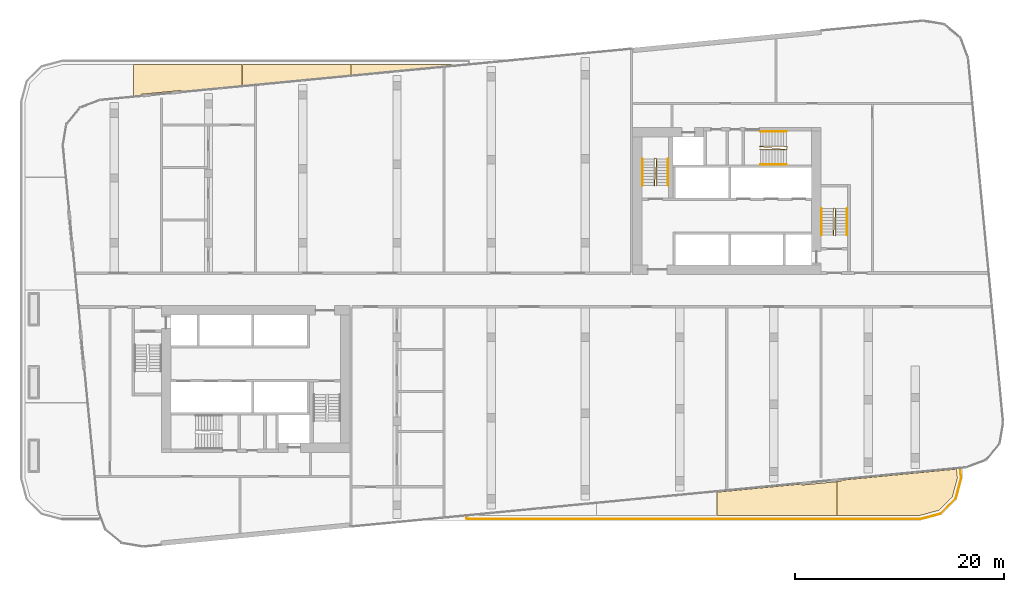
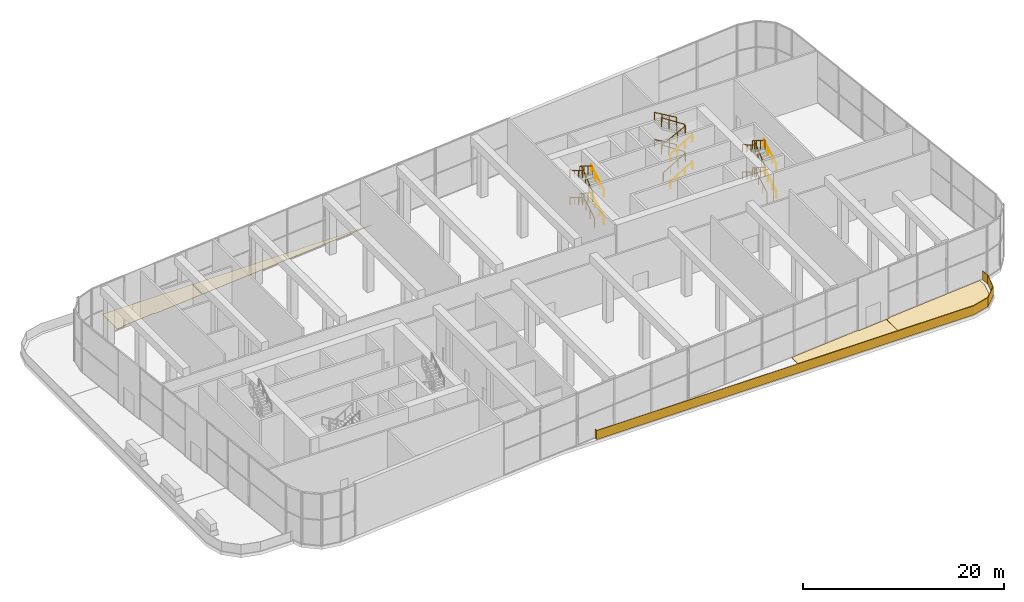
# One storey, part 24 of 25: 16 railings, 5 coverings.
"""IFC4 building model written with IfcOpenShell, lengths in metres."""

import ifcopenshell
import ifcopenshell.guid

model = None  # the IFC model being written
_history = None  # IfcOwnerHistory: only IFC2X3 demands one
_inside = {}  # id of a spatial element -> (the spatial element, [elements in it])
_under = {}  # id of a project, library or spatial element -> (it, [spatial elements below it])
_declared = {}  # id of a project -> (the project, [libraries it declares])
_typed = {}  # id of a type object -> (the type object, [elements of that type])
_made_of = {}  # id of a material, layer set ... -> (it, [elements and type objects made of it])


def new_model(schema):
    """Start an empty IFC model of exactly this schema.

    Asked for "IFC4X3", IfcOpenShell would pick the latest addendum, in which some entities
    have other attributes; the version numbers below select the first issue.
    IFC2X3 requires an IfcOwnerHistory on every rooted entity: one is made here for all.
    """
    global model, _history
    if schema == "IFC4X3":
        model = ifcopenshell.file(schema_version=(4, 3, 0, 0))
    else:
        model = ifcopenshell.file(schema=schema)
    _inside.clear()
    _under.clear()
    _declared.clear()
    _typed.clear()
    _made_of.clear()
    _history = None
    if model.schema == "IFC2X3":
        org = make("IfcOrganization", Name="unknown")
        user = make(
            "IfcPersonAndOrganization",
            ThePerson=make("IfcPerson", FamilyName="unknown"),
            TheOrganization=org,
        )
        app = make(
            "IfcApplication",
            ApplicationDeveloper=org,
            Version="unknown",
            ApplicationFullName="unknown",
            ApplicationIdentifier="unknown",
        )
        _history = make(
            "IfcOwnerHistory",
            OwningUser=user,
            OwningApplication=app,
            ChangeAction="ADDED",
            CreationDate=0,
        )
    return model


def make(cls, **values):
    """One entity of the class cls with the attributes given. An attribute that is None is left unset."""
    return model.create_entity(
        cls, **{name: value for name, value in values.items() if value is not None}
    )


def rooted(cls, **values):
    """An entity with a GlobalId (a new one), such as an element, a storey or a relation."""
    return make(cls, GlobalId=ifcopenshell.guid.new(), OwnerHistory=_history, **values)


def si_unit(unit_type, name, prefix=None):
    """IfcSIUnit, for example si_unit("LENGTHUNIT", "METRE", prefix="MILLI")."""
    return make("IfcSIUnit", UnitType=unit_type, Prefix=prefix, Name=name)


def assignment(units):
    """IfcUnitAssignment: the units of a project."""
    return None if units is None else make("IfcUnitAssignment", Units=units)


def point(xyz):
    """IfcCartesianPoint."""
    return None if xyz is None else make("IfcCartesianPoint", Coordinates=xyz)


def direction(xyz):
    """IfcDirection."""
    return None if xyz is None else make("IfcDirection", DirectionRatios=xyz)


def frame(location, z_axis=None, x_axis=None):
    """IfcAxis2Placement3D, a coordinate frame: its origin and axes. An axis left out is left unset."""
    return make(
        "IfcAxis2Placement3D",
        Location=point(location),
        Axis=direction(z_axis),
        RefDirection=direction(x_axis),
    )


def frame_2d(location, x_axis=None):
    """IfcAxis2Placement2D, a coordinate frame in the plane: its origin and x axis."""
    return make(
        "IfcAxis2Placement2D", Location=point(location), RefDirection=direction(x_axis)
    )


def origin():
    """The frame at (0, 0, 0) with its axes left unset."""
    return frame((0.0, 0.0, 0.0))


def origin_2d():
    """The frame at (0, 0) in the plane with its x axis left unset."""
    return frame_2d((0.0, 0.0))


def place(relative_to, where):
    """IfcLocalPlacement: puts the frame where relative to a parent placement (None: the world)."""
    return make(
        "IfcLocalPlacement", PlacementRelTo=relative_to, RelativePlacement=where
    )


def context(
    kind, dimensions, precision=None, world=None, true_north=None, identifier=None
):
    """IfcGeometricRepresentationContext, for example the 3D "Model" context."""
    return make(
        "IfcGeometricRepresentationContext",
        ContextIdentifier=identifier,
        ContextType=kind,
        CoordinateSpaceDimension=dimensions,
        Precision=precision,
        WorldCoordinateSystem=world,
        TrueNorth=true_north,
    )


def subcontext(parent, identifier, kind, view, scale=None):
    """IfcGeometricRepresentationSubContext, for example "Body" below "Model"."""
    return make(
        "IfcGeometricRepresentationSubContext",
        ContextIdentifier=identifier,
        ContextType=kind,
        ParentContext=parent,
        TargetScale=scale,
        TargetView=view,
    )


def project(units=None, contexts=None):
    """IfcProject with its units and contexts."""
    return rooted(
        "IfcProject",
        Name="project",
        RepresentationContexts=contexts,
        UnitsInContext=assignment(units),
    )


def spatial(cls, under=None, at=None, **own):
    """A site, building, storey or space (cls), placed at a placement, below another one or the project."""
    s = rooted(cls, ObjectPlacement=at, **own)
    if under is not None:
        _under.setdefault(under.id(), (under, []))[1].append(s)
    return s


def polyline(points):
    """IfcPolyline through the points."""
    return make("IfcPolyline", Points=[point(p) for p in points])


def profile(cls, at=None, kind="AREA", **sizes):
    """A parametric profile (cls). Its sizes go by their IFC names, for example OverallWidth=200.0."""
    return make(cls, ProfileType=kind, Position=at, **sizes)


def circle(**sizes):
    """IfcCircleProfileDef."""
    return profile("IfcCircleProfileDef", **sizes)


def outline(outer, holes=None, kind="AREA"):
    """IfcArbitraryClosedProfileDef: a profile drawn as a closed curve; with holes, ...WithVoids."""
    if holes is None:
        return make("IfcArbitraryClosedProfileDef", ProfileType=kind, OuterCurve=outer)
    return make(
        "IfcArbitraryProfileDefWithVoids",
        ProfileType=kind,
        OuterCurve=outer,
        InnerCurves=holes,
    )


def extrude(swept, where, along, depth):
    """IfcExtrudedAreaSolid: the profile swept, set in the frame where, extruded along a direction by depth."""
    return make(
        "IfcExtrudedAreaSolid",
        SweptArea=swept,
        Position=where,
        ExtrudedDirection=direction(along),
        Depth=depth,
    )


def shape(context_of_items, identifier, shape_type, items):
    """IfcShapeRepresentation: the items that make up one representation, for example the "Body"."""
    return make(
        "IfcShapeRepresentation",
        ContextOfItems=context_of_items,
        RepresentationIdentifier=identifier,
        RepresentationType=shape_type,
        Items=items,
    )


def material(Name=None, Category=None):
    """IfcMaterial."""
    return make("IfcMaterial", Name=Name, Category=Category)


def layer(
    of_material, thickness, ventilated=None, Name=None, Category=None, Priority=None
):
    """IfcMaterialLayer: one layer of a wall or slab, of a material (None: an air gap)."""
    return make(
        "IfcMaterialLayer",
        Material=of_material,
        LayerThickness=thickness,
        IsVentilated=ventilated,
        Name=Name,
        Category=Category,
        Priority=Priority,
    )


def layer_set(layers, Name=None):
    """IfcMaterialLayerSet."""
    return make("IfcMaterialLayerSet", MaterialLayers=layers, LayerSetName=Name)


def made_of(thing, what):
    """Note that an element or type object is made of a material, layer set ...; save() writes the relation."""
    if what is not None:
        _made_of.setdefault(what.id(), (what, []))[1].append(thing)
    return thing


def type_object(cls, material=None, **own):
    """A type object (cls), such as IfcWallType, which elements share."""
    return made_of(rooted(cls, **own), material)


def element(
    cls,
    number,
    at=None,
    inside=None,
    cuts=None,
    type_object=None,
    material=None,
    context=None,
    identifier="Body",
    shape_type=None,
    held_by="IfcProductDefinitionShape",
    body=None,
    shapes=None,
    **own,
):
    """One element of the class cls, such as IfcWall. Its Tag is "e" and its number.

    at: its placement. inside: the storey or other place that contains it. cuts: it is an
    opening in that element (IfcRelVoidsElement). A single representation is given by context,
    identifier, shape_type and body (its items); several are given by shapes. held_by: the class
    of the entity that holds the representations. save() writes the other relations.
    """
    e = rooted(cls, Tag="e%d" % number, ObjectPlacement=at, **own)
    if body is not None:
        shapes = [shape(context, identifier, shape_type, body)]
    if shapes is not None:
        e.Representation = make(held_by, Representations=shapes)
    if inside is not None:
        _inside.setdefault(inside.id(), (inside, []))[1].append(e)
    if cuts is not None:
        rooted(
            "IfcRelVoidsElement", RelatingBuildingElement=cuts, RelatedOpeningElement=e
        )
    if type_object is not None:
        _typed.setdefault(type_object.id(), (type_object, []))[1].append(e)
    return made_of(e, material)


def aggregate(whole, parts):
    """IfcRelAggregates: a whole, such as a stair, and the parts it consists of."""
    return rooted("IfcRelAggregates", RelatingObject=whole, RelatedObjects=parts)


def save(model, path):
    """Write the relations noted so far, then the file.

    IfcRelAggregates (storeys below a building ...), IfcRelContainedInSpatialStructure (elements
    in a storey), IfcRelDefinesByType, IfcRelAssociatesMaterial and IfcRelDeclares: one each for
    every whole, place, type object, material and project.
    """
    for whole, parts in _under.values():
        aggregate(whole, parts)
    for where, things in _inside.values():
        rooted(
            "IfcRelContainedInSpatialStructure",
            RelatedElements=things,
            RelatingStructure=where,
        )
    for kind, things in _typed.values():
        rooted("IfcRelDefinesByType", RelatedObjects=things, RelatingType=kind)
    for what, things in _made_of.values():
        rooted("IfcRelAssociatesMaterial", RelatedObjects=things, RelatingMaterial=what)
    for by, libraries in _declared.values():
        rooted("IfcRelDeclares", RelatingContext=by, RelatedDefinitions=libraries)
    model.write(path)


model = new_model("IFC4")

# Units and contexts
model_context = context("Model", 3, precision=1e-05, world=origin(), true_north=direction((0.0, 1.0)))
body_context = subcontext(model_context, "Body", "Model", "MODEL_VIEW")
ifc_project = project(units=[si_unit("LENGTHUNIT", "METRE"), si_unit("AREAUNIT", "SQUARE_METRE"), si_unit("VOLUMEUNIT", "CUBIC_METRE"), si_unit("PLANEANGLEUNIT", "RADIAN"), si_unit("MASSUNIT", "GRAM", prefix="KILO")], contexts=[model_context])

# Site, building, storey
site_placement = place(None, origin())
site = spatial("IfcSite", under=ifc_project, at=site_placement, CompositionType="ELEMENT")
building_placement = place(site_placement, origin())
building = spatial("IfcBuilding", under=site, at=building_placement, Name="Kajstack Hotel Tower", CompositionType="ELEMENT")
storey_placement = place(building_placement, frame((0.0, 0.0, 104.199951171875)))
storey = spatial("IfcBuildingStorey", under=building, at=storey_placement, Name="L22", CompositionType="ELEMENT", Elevation=104.199951171875)

# Railing
ifc_material_1 = material(Name="Steel S355J2", Category="steel")
railing_type_1 = type_object("IfcRailingType", Name="BALUSTRADE-TERRACE", PredefinedType="BALUSTRADE", material=ifc_material_1)
railing_1_placement = place(storey_placement, frame((44.7919921875, -17.071533203125, 0.0)))
element("IfcRailing", 1, at=railing_1_placement, inside=storey, type_object=railing_type_1, Name="Terrace guard L22-02-01", PredefinedType="BALUSTRADE", context=body_context, shape_type="SweptSolid", body=[
    extrude(outline(polyline([(0.118408203125, -0.9150390625), (-0.40869140625, -2.882080078125), (-1.83837890625, -4.311767578125), (-3.803955078125, -4.83837890625), (-47.1474609375, -4.83837890625), (-47.17578125, -4.54248046875), (-47.1162109375, -4.53662109375), (-47.0927734375, -4.7783203125), (-3.811767578125, -4.7783203125), (-1.86962890625, -4.258056640625), (-0.46240234375, -2.850830078125), (0.057373046875, -0.91015625), (-0.02978515625, -0.0029296875), (0.02978515625, 0.0029296875), (0.118408203125, -0.9150390625)])), origin(), (0.0, 0.0, 1.0), 1.10009765625),
])

# Coverings
ifc_material_2 = material(Name="Timber larch", Category="wood")
ifc_layer = layer(ifc_material_2, 0.050048828125)
ifc_layer_set = layer_set([ifc_layer], Name="DECK-LARCH")
covering_type = type_object("IfcCoveringType", Name="DECK-LARCH", PredefinedType="FLOORING", material=ifc_layer_set)
covering_1_placement = place(storey_placement, origin())
element("IfcCovering", 2, at=covering_1_placement, inside=storey, type_object=covering_type, Name="Larch decking L22-01-05", PredefinedType="FLOORING", context=body_context, shape_type="SweptSolid", body=[
    extrude(outline(polyline([(-23.783203125, 19.5244140625), (-23.783203125, 21.52001953125), (-34.1416015625, 21.52001953125), (-34.1416015625, 18.52685546875), (-33.391357421875, 18.59912109375), (-33.40087890625, 18.698486328125), (-29.618408203125, 19.062744140625), (-29.608642578125, 18.96337890625), (-23.783203125, 19.5244140625)])), origin(), (0.0, 0.0, 1.0), 0.050048828125),
])
covering_2_placement = place(storey_placement, origin())
element("IfcCovering", 3, at=covering_2_placement, inside=storey, type_object=covering_type, Name="Larch decking L22-01-06", PredefinedType="FLOORING", context=body_context, shape_type="SweptSolid", body=[
    extrude(outline(polyline([(-13.40478515625, 20.523681640625), (-13.40478515625, 21.52001953125), (-23.76318359375, 21.52001953125), (-23.76318359375, 19.526123046875), (-13.40478515625, 20.523681640625)])), origin(), (0.0, 0.0, 1.0), 0.050048828125),
])
covering_3_placement = place(storey_placement, origin())
element("IfcCovering", 4, at=covering_3_placement, inside=storey, type_object=covering_type, Name="Larch decking L22-01-07", PredefinedType="FLOORING", context=body_context, shape_type="SweptSolid", body=[
    extrude(outline(polyline([(-3.05712890625, 21.52001953125), (-13.384765625, 21.52001953125), (-13.384765625, 20.525634765625), (-3.05712890625, 21.52001953125)])), origin(), (0.0, 0.0, 1.0), 0.050048828125),
])
covering_4_placement = place(storey_placement, origin())
element("IfcCovering", 5, at=covering_4_placement, inside=storey, type_object=covering_type, Name="Larch decking L22-02-03", PredefinedType="FLOORING", context=body_context, shape_type="SweptSolid", body=[
    extrude(outline(polyline([(29.608642578125, -18.53369140625), (21.5498046875, -19.3095703125), (21.5498046875, -21.52001953125), (33.022705078125, -21.52001953125), (33.022705078125, -18.305419921875), (29.618408203125, -18.633056640625), (29.608642578125, -18.53369140625)])), origin(), (0.0, 0.0, 1.0), 0.050048828125),
])
covering_5_placement = place(storey_placement, origin())
element("IfcCovering", 6, at=covering_5_placement, inside=storey, type_object=covering_type, Name="Larch decking L22-02-04", PredefinedType="FLOORING", context=body_context, shape_type="SweptSolid", body=[
    extrude(outline(polyline([(33.042724609375, -18.303466796875), (33.042724609375, -21.52001953125), (40.975341796875, -21.52001953125), (42.7568359375, -21.042724609375), (44.042724609375, -19.7568359375), (44.515625, -17.9921875), (44.515625, -17.850830078125), (44.444580078125, -17.115234375), (44.33984375, -17.115234375), (33.391357421875, -18.16943359375), (33.40087890625, -18.268798828125), (33.042724609375, -18.303466796875)])), origin(), (0.0, 0.0, 1.0), 0.050048828125),
])

# Railings
railing_type_2 = type_object("IfcRailingType", Name="Stair guard 1100", PredefinedType="GUARDRAIL", material=ifc_material_1)
railing_2_placement = place(storey_placement, frame((32.85009765625, 5.199951171875, 0.0)))
element("IfcRailing", 7, at=railing_2_placement, inside=storey, type_object=railing_type_2, Name="L22 E1 stair guard 1", PredefinedType="GUARDRAIL", context=body_context, shape_type="SweptSolid", body=[
    extrude(circle(Radius=0.02392578125, at=origin_2d()), frame((0.0, 0.0, 1.076171875), z_axis=(0.277450376394, 0.278810427259, 0.919394384522), x_axis=(-0.708833529934, 0.705375805398, 0.0)), (0.0, 0.0, 1.0), 0.179443359375),
    extrude(circle(Radius=0.02392578125, at=origin_2d()), frame((0.0498046875, 0.050048828125, 1.2412109375), z_axis=(0.0, 0.86152411907, 0.507716645641), x_axis=(-1.0, 0.0, 0.0)), (0.0, 0.0, 1.0), 2.925048828125),
    extrude(circle(Radius=0.02392578125, at=origin_2d()), frame((0.0498046875, 2.570068359375, 2.72607421875), z_axis=(-0.970072785993, 0.242814311512, 0.0), x_axis=(-0.242814311512, -0.970072785993, 0.0)), (0.0, 0.0, 1.0), 0.2060546875),
    extrude(circle(Radius=0.02392578125, at=origin_2d()), frame((-0.150146484375, 2.6201171875, 2.72607421875), z_axis=(-0.016385308676, -0.841405582595, 0.540155687962), x_axis=(0.999810440751, -0.019470042781, 0.0)), (0.0, 0.0, 1.0), 3.054443359375),
    extrude(circle(Radius=0.02392578125, at=origin_2d()), frame((-0.2001953125, 0.050048828125, 4.3759765625), z_axis=(0.707106781187, -0.707106781187, 0.0), x_axis=(0.707106781187, 0.707106781187, 0.0)), (0.0, 0.0, 1.0), 0.07080078125),
    extrude(circle(Radius=0.02392578125, at=origin_2d()), frame((-0.150146484375, 0.0, 4.3759765625), z_axis=(0.065330231748, 0.839720817594, 0.539074122286), x_axis=(-0.996987254287, 0.077565551559, 0.0)), (0.0, 0.0, 1.0), 3.060546875),
    extrude(circle(Radius=0.02392578125, at=origin_2d()), frame((0.0498046875, 2.570068359375, 6.02587890625), z_axis=(-0.970072785993, 0.242814311512, 0.0), x_axis=(-0.242814311512, -0.970072785993, 0.0)), (0.0, 0.0, 1.0), 0.2060546875),
    extrude(circle(Radius=0.02392578125, at=origin_2d()), frame((-0.150146484375, 2.6201171875, 6.02587890625), z_axis=(-0.016384601254, -0.84136925563, 0.540212292087), x_axis=(0.999810440751, -0.019470042781, 0.0)), (0.0, 0.0, 1.0), 3.0546875),
    extrude(circle(Radius=0.02099609375, at=origin_2d()), origin(), (0.0, 0.0, 1.0), 1.052001953125),
    extrude(circle(Radius=0.02099609375, at=origin_2d()), frame((0.0498046875, 0.050048828125, 0.1650390625)), (0.0, 0.0, 1.0), 1.052001953125),
    extrude(circle(Radius=0.02099609375, at=origin_2d()), frame((0.0498046875, 0.89013671875, 0.66015625)), (0.0, 0.0, 1.0), 1.052001953125),
    extrude(circle(Radius=0.02099609375, at=origin_2d()), frame((0.0498046875, 1.72998046875, 1.155029296875)), (0.0, 0.0, 1.0), 1.052001953125),
    extrude(circle(Radius=0.02099609375, at=origin_2d()), frame((0.0498046875, 2.570068359375, 1.650146484375)), (0.0, 0.0, 1.0), 1.052001953125),
    extrude(circle(Radius=0.02099609375, at=origin_2d()), frame((-0.150146484375, 2.6201171875, 1.650146484375)), (0.0, 0.0, 1.0), 1.052001953125),
    extrude(circle(Radius=0.02099609375, at=origin_2d()), frame((-0.166748046875, 1.763427734375, 2.2001953125)), (0.0, 0.0, 1.0), 1.052001953125),
    extrude(circle(Radius=0.02099609375, at=origin_2d()), frame((-0.18359375, 0.90673828125, 2.75)), (0.0, 0.0, 1.0), 1.052001953125),
    extrude(circle(Radius=0.02099609375, at=origin_2d()), frame((-0.2001953125, 0.050048828125, 3.300048828125)), (0.0, 0.0, 1.0), 1.052001953125),
    extrude(circle(Radius=0.02099609375, at=origin_2d()), frame((-0.150146484375, 0.0, 3.300048828125)), (0.0, 0.0, 1.0), 1.052001953125),
    extrude(circle(Radius=0.02099609375, at=origin_2d()), frame((-0.08349609375, 0.856689453125, 3.85009765625)), (0.0, 0.0, 1.0), 1.052001953125),
    extrude(circle(Radius=0.02099609375, at=origin_2d()), frame((-0.016845703125, 1.71337890625, 4.39990234375)), (0.0, 0.0, 1.0), 1.052001953125),
    extrude(circle(Radius=0.02099609375, at=origin_2d()), frame((0.0498046875, 2.570068359375, 4.949951171875)), (0.0, 0.0, 1.0), 1.052001953125),
    extrude(circle(Radius=0.02099609375, at=origin_2d()), frame((-0.150146484375, 2.6201171875, 4.949951171875)), (0.0, 0.0, 1.0), 1.052001953125),
    extrude(circle(Radius=0.02099609375, at=origin_2d()), frame((-0.166748046875, 1.763427734375, 5.5)), (0.0, 0.0, 1.0), 1.052001953125),
    extrude(circle(Radius=0.02099609375, at=origin_2d()), frame((-0.18359375, 0.90673828125, 6.050048828125)), (0.0, 0.0, 1.0), 1.052001953125),
    extrude(circle(Radius=0.02099609375, at=origin_2d()), frame((-0.2001953125, 0.050048828125, 6.60009765625)), (0.0, 0.0, 1.0), 1.052001953125),
])
railing_3_placement = place(storey_placement, frame((15.75, 9.949951171875, 0.0)))
element("IfcRailing", 8, at=railing_3_placement, inside=storey, type_object=railing_type_2, Name="L22 E2 stair guard 1", PredefinedType="GUARDRAIL", context=body_context, shape_type="SweptSolid", body=[
    extrude(circle(Radius=0.02392578125, at=origin_2d()), frame((0.0, 0.0, 1.076171875), z_axis=(0.278705021027, 0.278705021027, 0.919046801044), x_axis=(-0.707106781187, 0.707106781187, 0.0)), (0.0, 0.0, 1.0), 0.1796875),
    extrude(circle(Radius=0.02392578125, at=origin_2d()), frame((0.050048828125, 0.050048828125, 1.2412109375), z_axis=(0.0, 0.86152411907, 0.507716645641), x_axis=(-1.0, 0.0, 0.0)), (0.0, 0.0, 1.0), 2.925048828125),
    extrude(circle(Radius=0.02392578125, at=origin_2d()), frame((0.050048828125, 2.570068359375, 2.72607421875), z_axis=(-0.970072785993, 0.242814311512, 0.0), x_axis=(-0.242814311512, -0.970072785993, 0.0)), (0.0, 0.0, 1.0), 0.2060546875),
    extrude(circle(Radius=0.02392578125, at=origin_2d()), frame((-0.14990234375, 2.6201171875, 2.72607421875), z_axis=(-0.016385308676, -0.841405582595, 0.540155687962), x_axis=(0.999810440751, -0.019470042781, 0.0)), (0.0, 0.0, 1.0), 3.054443359375),
    extrude(circle(Radius=0.02392578125, at=origin_2d()), frame((-0.199951171875, 0.050048828125, 4.3759765625), z_axis=(0.707106781187, -0.707106781187, 0.0), x_axis=(0.707106781187, 0.707106781187, 0.0)), (0.0, 0.0, 1.0), 0.07080078125),
    extrude(circle(Radius=0.02392578125, at=origin_2d()), frame((-0.14990234375, 0.0, 4.3759765625), z_axis=(0.065330231748, 0.839720817594, 0.539074122286), x_axis=(-0.996987254287, 0.077565551559, 0.0)), (0.0, 0.0, 1.0), 3.060546875),
    extrude(circle(Radius=0.02392578125, at=origin_2d()), frame((0.050048828125, 2.570068359375, 6.02587890625), z_axis=(-0.970072785993, 0.242814311512, 0.0), x_axis=(-0.242814311512, -0.970072785993, 0.0)), (0.0, 0.0, 1.0), 0.2060546875),
    extrude(circle(Radius=0.02392578125, at=origin_2d()), frame((-0.14990234375, 2.6201171875, 6.02587890625), z_axis=(-0.016384601254, -0.84136925563, 0.540212292087), x_axis=(0.999810440751, -0.019470042781, 0.0)), (0.0, 0.0, 1.0), 3.0546875),
    extrude(circle(Radius=0.02099609375, at=origin_2d()), origin(), (0.0, 0.0, 1.0), 1.052001953125),
    extrude(circle(Radius=0.02099609375, at=origin_2d()), frame((0.050048828125, 0.050048828125, 0.1650390625)), (0.0, 0.0, 1.0), 1.052001953125),
    extrude(circle(Radius=0.02099609375, at=origin_2d()), frame((0.050048828125, 0.89013671875, 0.66015625)), (0.0, 0.0, 1.0), 1.052001953125),
    extrude(circle(Radius=0.02099609375, at=origin_2d()), frame((0.050048828125, 1.72998046875, 1.155029296875)), (0.0, 0.0, 1.0), 1.052001953125),
    extrude(circle(Radius=0.02099609375, at=origin_2d()), frame((0.050048828125, 2.570068359375, 1.650146484375)), (0.0, 0.0, 1.0), 1.052001953125),
    extrude(circle(Radius=0.02099609375, at=origin_2d()), frame((-0.14990234375, 2.6201171875, 1.650146484375)), (0.0, 0.0, 1.0), 1.052001953125),
    extrude(circle(Radius=0.02099609375, at=origin_2d()), frame((-0.16650390625, 1.763427734375, 2.2001953125)), (0.0, 0.0, 1.0), 1.052001953125),
    extrude(circle(Radius=0.02099609375, at=origin_2d()), frame((-0.183349609375, 0.90673828125, 2.75)), (0.0, 0.0, 1.0), 1.052001953125),
    extrude(circle(Radius=0.02099609375, at=origin_2d()), frame((-0.199951171875, 0.050048828125, 3.300048828125)), (0.0, 0.0, 1.0), 1.052001953125),
    extrude(circle(Radius=0.02099609375, at=origin_2d()), frame((-0.14990234375, 0.0, 3.300048828125)), (0.0, 0.0, 1.0), 1.052001953125),
    extrude(circle(Radius=0.02099609375, at=origin_2d()), frame((-0.083251953125, 0.856689453125, 3.85009765625)), (0.0, 0.0, 1.0), 1.052001953125),
    extrude(circle(Radius=0.02099609375, at=origin_2d()), frame((-0.0166015625, 1.71337890625, 4.39990234375)), (0.0, 0.0, 1.0), 1.052001953125),
    extrude(circle(Radius=0.02099609375, at=origin_2d()), frame((0.050048828125, 2.570068359375, 4.949951171875)), (0.0, 0.0, 1.0), 1.052001953125),
    extrude(circle(Radius=0.02099609375, at=origin_2d()), frame((-0.14990234375, 2.6201171875, 4.949951171875)), (0.0, 0.0, 1.0), 1.052001953125),
    extrude(circle(Radius=0.02099609375, at=origin_2d()), frame((-0.16650390625, 1.763427734375, 5.5)), (0.0, 0.0, 1.0), 1.052001953125),
    extrude(circle(Radius=0.02099609375, at=origin_2d()), frame((-0.183349609375, 0.90673828125, 6.050048828125)), (0.0, 0.0, 1.0), 1.052001953125),
    extrude(circle(Radius=0.02099609375, at=origin_2d()), frame((-0.199951171875, 0.050048828125, 6.60009765625)), (0.0, 0.0, 1.0), 1.052001953125),
])
railing_4_placement = place(storey_placement, frame((25.64990234375, 13.449951171875, 0.0)))
element("IfcRailing", 9, at=railing_4_placement, inside=storey, type_object=railing_type_2, Name="L22 E3 stair guard 1", PredefinedType="GUARDRAIL", context=body_context, shape_type="SweptSolid", body=[
    extrude(circle(Radius=0.02392578125, at=origin_2d()), frame((0.0, 0.0, 1.076171875), z_axis=(0.278705021027, -0.278705021027, 0.919046801044), x_axis=(0.707106781187, 0.707106781187, 0.0)), (0.0, 0.0, 1.0), 0.1796875),
    extrude(circle(Radius=0.02392578125, at=origin_2d()), frame((0.050048828125, -0.050048828125, 1.2412109375), z_axis=(0.86152411907, 0.0, 0.507716645641), x_axis=(0.0, 1.0, 0.0)), (0.0, 0.0, 1.0), 2.925048828125),
    extrude(circle(Radius=0.02392578125, at=origin_2d()), frame((2.570068359375, -0.050048828125, 2.72607421875), z_axis=(0.164529134168, 0.986372223864, 0.0), x_axis=(-0.986372223864, 0.164529134168, 0.0)), (0.0, 0.0, 1.0), 0.30419921875),
    extrude(circle(Radius=0.02392578125, at=origin_2d()), frame((2.6201171875, 0.25, 2.72607421875), z_axis=(-0.841405582595, 0.016385308676, 0.540155687962), x_axis=(-0.019470042781, -0.999810440751, 0.0)), (0.0, 0.0, 1.0), 3.054443359375),
    extrude(circle(Radius=0.02392578125, at=origin_2d()), frame((0.050048828125, 0.300048828125, 4.3759765625), z_axis=(-0.707106781187, -0.707106781187, 0.0), x_axis=(0.707106781187, -0.707106781187, 0.0)), (0.0, 0.0, 1.0), 0.07080078125),
    extrude(circle(Radius=0.02392578125, at=origin_2d()), frame((0.0, 0.25, 4.3759765625), z_axis=(0.837486508305, -0.097774381942, 0.537639766612), x_axis=(0.115959822279, 0.993253904909, 0.0)), (0.0, 0.0, 1.0), 3.06884765625),
    extrude(circle(Radius=0.02392578125, at=origin_2d()), frame((2.570068359375, -0.050048828125, 6.02587890625), z_axis=(0.164529134168, 0.986372223864, 0.0), x_axis=(-0.986372223864, 0.164529134168, 0.0)), (0.0, 0.0, 1.0), 0.30419921875),
    extrude(circle(Radius=0.02392578125, at=origin_2d()), frame((2.6201171875, 0.25, 6.02587890625), z_axis=(-0.84136925563, 0.016384601254, 0.540212292087), x_axis=(-0.019470042781, -0.999810440751, 0.0)), (0.0, 0.0, 1.0), 3.0546875),
    extrude(circle(Radius=0.02099609375, at=origin_2d()), origin(), (0.0, 0.0, 1.0), 1.052001953125),
    extrude(circle(Radius=0.02099609375, at=origin_2d()), frame((0.050048828125, -0.050048828125, 0.1650390625)), (0.0, 0.0, 1.0), 1.052001953125),
    extrude(circle(Radius=0.02099609375, at=origin_2d()), frame((0.89013671875, -0.050048828125, 0.66015625)), (0.0, 0.0, 1.0), 1.052001953125),
    extrude(circle(Radius=0.02099609375, at=origin_2d()), frame((1.72998046875, -0.050048828125, 1.155029296875)), (0.0, 0.0, 1.0), 1.052001953125),
    extrude(circle(Radius=0.02099609375, at=origin_2d()), frame((2.570068359375, -0.050048828125, 1.650146484375)), (0.0, 0.0, 1.0), 1.052001953125),
    extrude(circle(Radius=0.02099609375, at=origin_2d()), frame((2.6201171875, 0.25, 1.650146484375)), (0.0, 0.0, 1.0), 1.052001953125),
    extrude(circle(Radius=0.02099609375, at=origin_2d()), frame((1.763427734375, 0.2666015625, 2.2001953125)), (0.0, 0.0, 1.0), 1.052001953125),
    extrude(circle(Radius=0.02099609375, at=origin_2d()), frame((0.90673828125, 0.283447265625, 2.75)), (0.0, 0.0, 1.0), 1.052001953125),
    extrude(circle(Radius=0.02099609375, at=origin_2d()), frame((0.050048828125, 0.300048828125, 3.300048828125)), (0.0, 0.0, 1.0), 1.052001953125),
    extrude(circle(Radius=0.02099609375, at=origin_2d()), frame((0.0, 0.25, 3.300048828125)), (0.0, 0.0, 1.0), 1.052001953125),
    extrude(circle(Radius=0.02099609375, at=origin_2d()), frame((0.856689453125, 0.14990234375, 3.85009765625)), (0.0, 0.0, 1.0), 1.052001953125),
    extrude(circle(Radius=0.02099609375, at=origin_2d()), frame((1.71337890625, 0.050048828125, 4.39990234375)), (0.0, 0.0, 1.0), 1.052001953125),
    extrude(circle(Radius=0.02099609375, at=origin_2d()), frame((2.570068359375, -0.050048828125, 4.949951171875)), (0.0, 0.0, 1.0), 1.052001953125),
    extrude(circle(Radius=0.02099609375, at=origin_2d()), frame((2.6201171875, 0.25, 4.949951171875)), (0.0, 0.0, 1.0), 1.052001953125),
    extrude(circle(Radius=0.02099609375, at=origin_2d()), frame((1.763427734375, 0.2666015625, 5.5)), (0.0, 0.0, 1.0), 1.052001953125),
    extrude(circle(Radius=0.02099609375, at=origin_2d()), frame((0.90673828125, 0.283447265625, 6.050048828125)), (0.0, 0.0, 1.0), 1.052001953125),
    extrude(circle(Radius=0.02099609375, at=origin_2d()), frame((0.050048828125, 0.300048828125, 6.60009765625)), (0.0, 0.0, 1.0), 1.052001953125),
])
railing_type_3 = type_object("IfcRailingType", Name="Stair handrail 900", PredefinedType="HANDRAIL", material=ifc_material_1)
railing_5_placement = place(storey_placement, frame((34.0, 5.25, 0.1650390625)))
element("IfcRailing", 10, at=railing_5_placement, inside=storey, type_object=railing_type_3, Name="L22 E1 stair handrail 1", PredefinedType="HANDRAIL", context=body_context, shape_type="SweptSolid", body=[
    extrude(circle(Radius=0.02392578125, at=origin_2d()), frame((0.0, 0.0, 0.8759765625), z_axis=(0.0, 0.86152411907, 0.507716645641), x_axis=(-1.0, 0.0, 0.0)), (0.0, 0.0, 1.0), 2.925048828125),
    extrude(circle(Radius=0.02099609375, at=origin_2d()), origin(), (0.0, 0.0, 1.0), 0.851806640625),
    extrude(circle(Radius=0.02099609375, at=origin_2d()), frame((0.0, 0.840087890625, 0.4951171875)), (0.0, 0.0, 1.0), 0.851806640625),
    extrude(circle(Radius=0.02099609375, at=origin_2d()), frame((0.0, 1.679931640625, 0.989990234375)), (0.0, 0.0, 1.0), 0.851806640625),
    extrude(circle(Radius=0.02099609375, at=origin_2d()), frame((0.0, 2.52001953125, 1.485107421875)), (0.0, 0.0, 1.0), 0.851806640625),
])
railing_6_placement = place(storey_placement, frame((31.550048828125, 7.77001953125, 1.81494140625)))
element("IfcRailing", 11, at=railing_6_placement, inside=storey, type_object=railing_type_3, Name="L22 E1 stair handrail 2", PredefinedType="HANDRAIL", context=body_context, shape_type="SweptSolid", body=[
    extrude(circle(Radius=0.02392578125, at=origin_2d()), frame((0.0, 0.0, 0.8759765625), z_axis=(0.0, -0.86152411907, 0.507716645641), x_axis=(1.0, 0.0, 0.0)), (0.0, 0.0, 1.0), 2.925048828125),
    extrude(circle(Radius=0.02099609375, at=origin_2d()), origin(), (0.0, 0.0, 1.0), 0.851806640625),
    extrude(circle(Radius=0.02099609375, at=origin_2d()), frame((0.0, -0.840087890625, 0.4951171875)), (0.0, 0.0, 1.0), 0.851806640625),
    extrude(circle(Radius=0.02099609375, at=origin_2d()), frame((0.0, -1.679931640625, 0.989990234375)), (0.0, 0.0, 1.0), 0.851806640625),
    extrude(circle(Radius=0.02099609375, at=origin_2d()), frame((0.0, -2.52001953125, 1.485107421875)), (0.0, 0.0, 1.0), 0.851806640625),
])
railing_7_placement = place(storey_placement, frame((34.0, 5.25, 3.465087890625)))
element("IfcRailing", 12, at=railing_7_placement, inside=storey, type_object=railing_type_3, Name="L22 E1 stair handrail 3", PredefinedType="HANDRAIL", context=body_context, shape_type="SweptSolid", body=[
    extrude(circle(Radius=0.02392578125, at=origin_2d()), frame((0.0, 0.0, 0.8759765625), z_axis=(0.0, 0.861560626758, 0.507654692109), x_axis=(-1.0, 0.0, 0.0)), (0.0, 0.0, 1.0), 2.925048828125),
    extrude(circle(Radius=0.02099609375, at=origin_2d()), origin(), (0.0, 0.0, 1.0), 0.851806640625),
    extrude(circle(Radius=0.02099609375, at=origin_2d()), frame((0.0, 0.840087890625, 0.494873046875)), (0.0, 0.0, 1.0), 0.851806640625),
    extrude(circle(Radius=0.02099609375, at=origin_2d()), frame((0.0, 1.679931640625, 0.989990234375)), (0.0, 0.0, 1.0), 0.851806640625),
    extrude(circle(Radius=0.02099609375, at=origin_2d()), frame((0.0, 2.52001953125, 1.48486328125)), (0.0, 0.0, 1.0), 0.851806640625),
])
railing_8_placement = place(storey_placement, frame((31.550048828125, 7.77001953125, 5.114990234375)))
element("IfcRailing", 13, at=railing_8_placement, inside=storey, type_object=railing_type_3, Name="L22 E1 stair handrail 4", PredefinedType="HANDRAIL", context=body_context, shape_type="SweptSolid", body=[
    extrude(circle(Radius=0.02392578125, at=origin_2d()), frame((0.0, 0.0, 0.8759765625), z_axis=(0.0, -0.86152411907, 0.507716645641), x_axis=(1.0, 0.0, 0.0)), (0.0, 0.0, 1.0), 2.925048828125),
    extrude(circle(Radius=0.02099609375, at=origin_2d()), origin(), (0.0, 0.0, 1.0), 0.851806640625),
    extrude(circle(Radius=0.02099609375, at=origin_2d()), frame((0.0, -0.840087890625, 0.4951171875)), (0.0, 0.0, 1.0), 0.851806640625),
    extrude(circle(Radius=0.02099609375, at=origin_2d()), frame((0.0, -1.679931640625, 0.989990234375)), (0.0, 0.0, 1.0), 0.851806640625),
    extrude(circle(Radius=0.02099609375, at=origin_2d()), frame((0.0, -2.52001953125, 1.485107421875)), (0.0, 0.0, 1.0), 0.851806640625),
])
railing_9_placement = place(storey_placement, frame((16.89990234375, 10.0, 0.1650390625)))
element("IfcRailing", 14, at=railing_9_placement, inside=storey, type_object=railing_type_3, Name="L22 E2 stair handrail 1", PredefinedType="HANDRAIL", context=body_context, shape_type="SweptSolid", body=[
    extrude(circle(Radius=0.02392578125, at=origin_2d()), frame((0.0, 0.0, 0.8759765625), z_axis=(0.0, 0.86152411907, 0.507716645641), x_axis=(-1.0, 0.0, 0.0)), (0.0, 0.0, 1.0), 2.925048828125),
    extrude(circle(Radius=0.02099609375, at=origin_2d()), origin(), (0.0, 0.0, 1.0), 0.851806640625),
    extrude(circle(Radius=0.02099609375, at=origin_2d()), frame((0.0, 0.840087890625, 0.4951171875)), (0.0, 0.0, 1.0), 0.851806640625),
    extrude(circle(Radius=0.02099609375, at=origin_2d()), frame((0.0, 1.679931640625, 0.989990234375)), (0.0, 0.0, 1.0), 0.851806640625),
    extrude(circle(Radius=0.02099609375, at=origin_2d()), frame((0.0, 2.52001953125, 1.485107421875)), (0.0, 0.0, 1.0), 0.851806640625),
])
railing_10_placement = place(storey_placement, frame((14.449951171875, 12.52001953125, 1.81494140625)))
element("IfcRailing", 15, at=railing_10_placement, inside=storey, type_object=railing_type_3, Name="L22 E2 stair handrail 2", PredefinedType="HANDRAIL", context=body_context, shape_type="SweptSolid", body=[
    extrude(circle(Radius=0.02392578125, at=origin_2d()), frame((0.0, 0.0, 0.8759765625), z_axis=(0.0, -0.86152411907, 0.507716645641), x_axis=(1.0, 0.0, 0.0)), (0.0, 0.0, 1.0), 2.925048828125),
    extrude(circle(Radius=0.02099609375, at=origin_2d()), origin(), (0.0, 0.0, 1.0), 0.851806640625),
    extrude(circle(Radius=0.02099609375, at=origin_2d()), frame((0.0, -0.840087890625, 0.4951171875)), (0.0, 0.0, 1.0), 0.851806640625),
    extrude(circle(Radius=0.02099609375, at=origin_2d()), frame((0.0, -1.679931640625, 0.989990234375)), (0.0, 0.0, 1.0), 0.851806640625),
    extrude(circle(Radius=0.02099609375, at=origin_2d()), frame((0.0, -2.52001953125, 1.485107421875)), (0.0, 0.0, 1.0), 0.851806640625),
])
railing_11_placement = place(storey_placement, frame((16.89990234375, 10.0, 3.465087890625)))
element("IfcRailing", 16, at=railing_11_placement, inside=storey, type_object=railing_type_3, Name="L22 E2 stair handrail 3", PredefinedType="HANDRAIL", context=body_context, shape_type="SweptSolid", body=[
    extrude(circle(Radius=0.02392578125, at=origin_2d()), frame((0.0, 0.0, 0.8759765625), z_axis=(0.0, 0.861560626758, 0.507654692109), x_axis=(-1.0, 0.0, 0.0)), (0.0, 0.0, 1.0), 2.925048828125),
    extrude(circle(Radius=0.02099609375, at=origin_2d()), origin(), (0.0, 0.0, 1.0), 0.851806640625),
    extrude(circle(Radius=0.02099609375, at=origin_2d()), frame((0.0, 0.840087890625, 0.494873046875)), (0.0, 0.0, 1.0), 0.851806640625),
    extrude(circle(Radius=0.02099609375, at=origin_2d()), frame((0.0, 1.679931640625, 0.989990234375)), (0.0, 0.0, 1.0), 0.851806640625),
    extrude(circle(Radius=0.02099609375, at=origin_2d()), frame((0.0, 2.52001953125, 1.48486328125)), (0.0, 0.0, 1.0), 0.851806640625),
])
railing_12_placement = place(storey_placement, frame((14.449951171875, 12.52001953125, 5.114990234375)))
element("IfcRailing", 17, at=railing_12_placement, inside=storey, type_object=railing_type_3, Name="L22 E2 stair handrail 4", PredefinedType="HANDRAIL", context=body_context, shape_type="SweptSolid", body=[
    extrude(circle(Radius=0.02392578125, at=origin_2d()), frame((0.0, 0.0, 0.8759765625), z_axis=(0.0, -0.86152411907, 0.507716645641), x_axis=(1.0, 0.0, 0.0)), (0.0, 0.0, 1.0), 2.925048828125),
    extrude(circle(Radius=0.02099609375, at=origin_2d()), origin(), (0.0, 0.0, 1.0), 0.851806640625),
    extrude(circle(Radius=0.02099609375, at=origin_2d()), frame((0.0, -0.840087890625, 0.4951171875)), (0.0, 0.0, 1.0), 0.851806640625),
    extrude(circle(Radius=0.02099609375, at=origin_2d()), frame((0.0, -1.679931640625, 0.989990234375)), (0.0, 0.0, 1.0), 0.851806640625),
    extrude(circle(Radius=0.02099609375, at=origin_2d()), frame((0.0, -2.52001953125, 1.485107421875)), (0.0, 0.0, 1.0), 0.851806640625),
])
railing_13_placement = place(storey_placement, frame((25.699951171875, 12.0, 0.1650390625)))
element("IfcRailing", 18, at=railing_13_placement, inside=storey, type_object=railing_type_3, Name="L22 E3 stair handrail 1", PredefinedType="HANDRAIL", context=body_context, shape_type="SweptSolid", body=[
    extrude(circle(Radius=0.02392578125, at=origin_2d()), frame((0.0, 0.0, 0.8759765625), z_axis=(0.86152411907, 0.0, 0.507716645641), x_axis=(0.0, 1.0, 0.0)), (0.0, 0.0, 1.0), 2.925048828125),
    extrude(circle(Radius=0.02099609375, at=origin_2d()), origin(), (0.0, 0.0, 1.0), 0.851806640625),
    extrude(circle(Radius=0.02099609375, at=origin_2d()), frame((0.840087890625, 0.0, 0.4951171875)), (0.0, 0.0, 1.0), 0.851806640625),
    extrude(circle(Radius=0.02099609375, at=origin_2d()), frame((1.679931640625, 0.0, 0.989990234375)), (0.0, 0.0, 1.0), 0.851806640625),
    extrude(circle(Radius=0.02099609375, at=origin_2d()), frame((2.52001953125, 0.0, 1.485107421875)), (0.0, 0.0, 1.0), 0.851806640625),
])
railing_14_placement = place(storey_placement, frame((28.219970703125, 15.14990234375, 1.81494140625)))
element("IfcRailing", 19, at=railing_14_placement, inside=storey, type_object=railing_type_3, Name="L22 E3 stair handrail 2", PredefinedType="HANDRAIL", context=body_context, shape_type="SweptSolid", body=[
    extrude(circle(Radius=0.02392578125, at=origin_2d()), frame((0.0, 0.0, 0.8759765625), z_axis=(-0.86152411907, 0.0, 0.507716645641), x_axis=(0.0, -1.0, 0.0)), (0.0, 0.0, 1.0), 2.925048828125),
    extrude(circle(Radius=0.02099609375, at=origin_2d()), origin(), (0.0, 0.0, 1.0), 0.851806640625),
    extrude(circle(Radius=0.02099609375, at=origin_2d()), frame((-0.840087890625, 0.0, 0.4951171875)), (0.0, 0.0, 1.0), 0.851806640625),
    extrude(circle(Radius=0.02099609375, at=origin_2d()), frame((-1.679931640625, 0.0, 0.989990234375)), (0.0, 0.0, 1.0), 0.851806640625),
    extrude(circle(Radius=0.02099609375, at=origin_2d()), frame((-2.52001953125, 0.0, 1.485107421875)), (0.0, 0.0, 1.0), 0.851806640625),
])
railing_15_placement = place(storey_placement, frame((25.699951171875, 12.0, 3.465087890625)))
element("IfcRailing", 20, at=railing_15_placement, inside=storey, type_object=railing_type_3, Name="L22 E3 stair handrail 3", PredefinedType="HANDRAIL", context=body_context, shape_type="SweptSolid", body=[
    extrude(circle(Radius=0.02392578125, at=origin_2d()), frame((0.0, 0.0, 0.8759765625), z_axis=(0.861560626758, 0.0, 0.507654692109), x_axis=(0.0, 1.0, 0.0)), (0.0, 0.0, 1.0), 2.925048828125),
    extrude(circle(Radius=0.02099609375, at=origin_2d()), origin(), (0.0, 0.0, 1.0), 0.851806640625),
    extrude(circle(Radius=0.02099609375, at=origin_2d()), frame((0.840087890625, 0.0, 0.494873046875)), (0.0, 0.0, 1.0), 0.851806640625),
    extrude(circle(Radius=0.02099609375, at=origin_2d()), frame((1.679931640625, 0.0, 0.989990234375)), (0.0, 0.0, 1.0), 0.851806640625),
    extrude(circle(Radius=0.02099609375, at=origin_2d()), frame((2.52001953125, 0.0, 1.48486328125)), (0.0, 0.0, 1.0), 0.851806640625),
])
railing_16_placement = place(storey_placement, frame((28.219970703125, 15.14990234375, 5.114990234375)))
element("IfcRailing", 21, at=railing_16_placement, inside=storey, type_object=railing_type_3, Name="L22 E3 stair handrail 4", PredefinedType="HANDRAIL", context=body_context, shape_type="SweptSolid", body=[
    extrude(circle(Radius=0.02392578125, at=origin_2d()), frame((0.0, 0.0, 0.8759765625), z_axis=(-0.86152411907, 0.0, 0.507716645641), x_axis=(0.0, -1.0, 0.0)), (0.0, 0.0, 1.0), 2.925048828125),
    extrude(circle(Radius=0.02099609375, at=origin_2d()), origin(), (0.0, 0.0, 1.0), 0.851806640625),
    extrude(circle(Radius=0.02099609375, at=origin_2d()), frame((-0.840087890625, 0.0, 0.4951171875)), (0.0, 0.0, 1.0), 0.851806640625),
    extrude(circle(Radius=0.02099609375, at=origin_2d()), frame((-1.679931640625, 0.0, 0.989990234375)), (0.0, 0.0, 1.0), 0.851806640625),
    extrude(circle(Radius=0.02099609375, at=origin_2d()), frame((-2.52001953125, 0.0, 1.485107421875)), (0.0, 0.0, 1.0), 0.851806640625),
])

save(model, "model.ifc")
